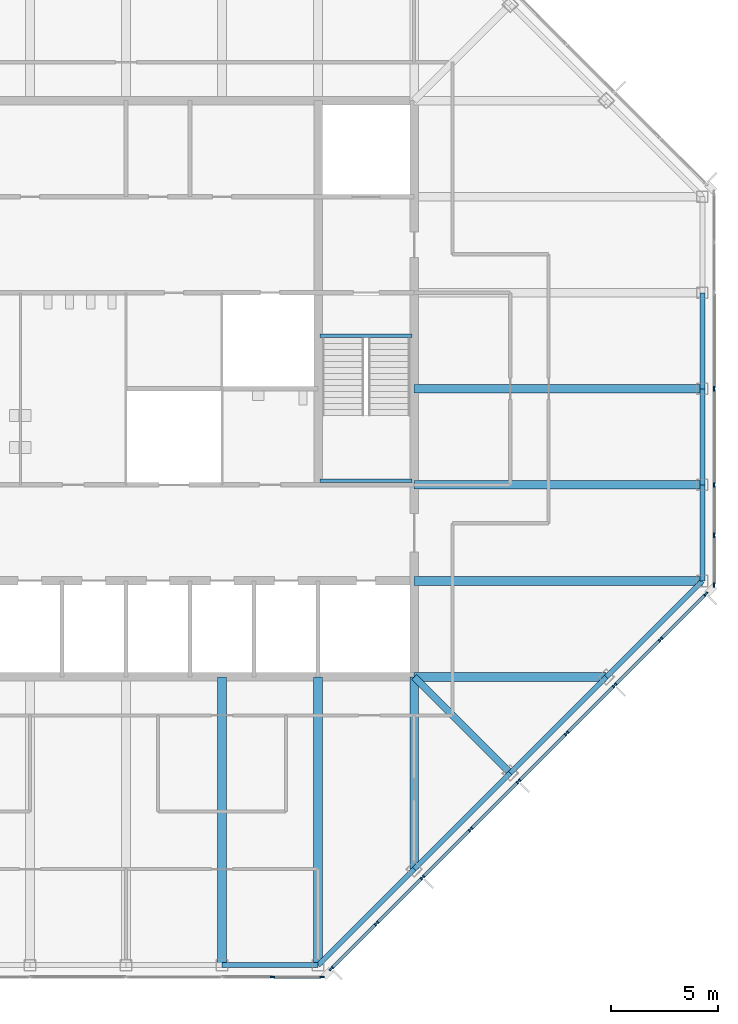
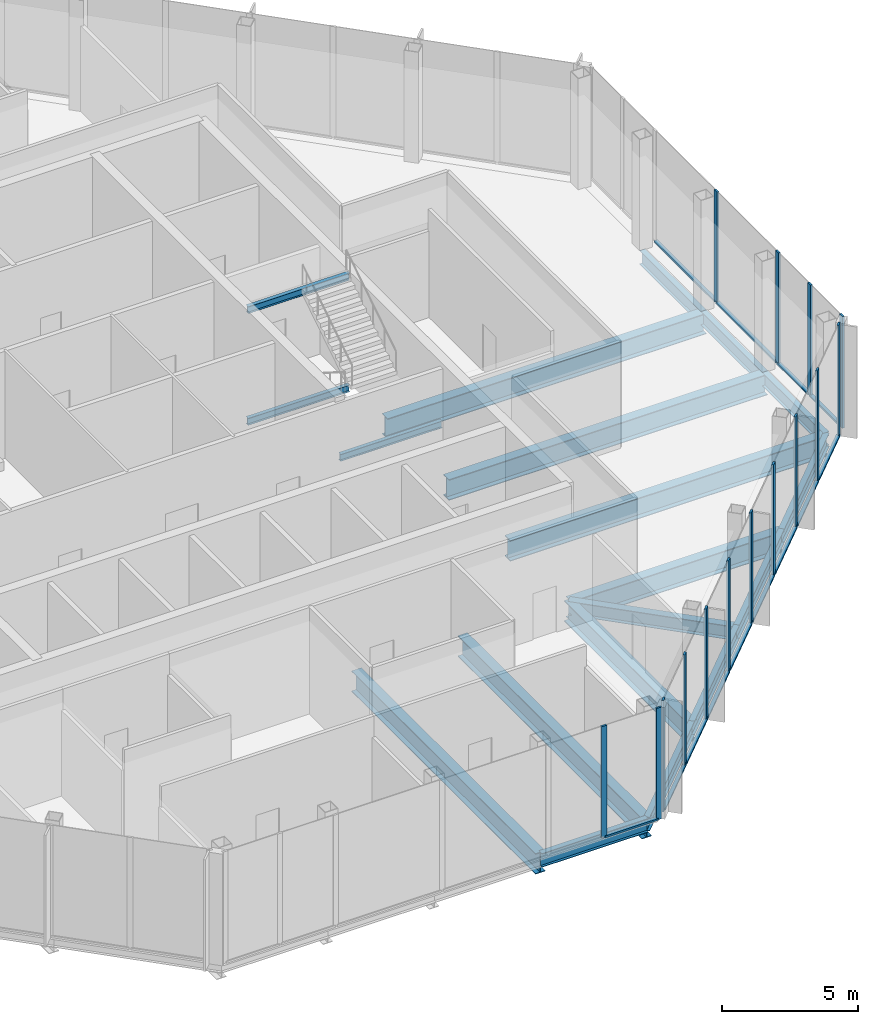
# One storey, part 3 of 11: 28 members, 19 beams, 3 elements without a shape of their own.
"""IFC4 building model written with IfcOpenShell, lengths in metres."""

from ifc_helpers import new_model, si_unit, direction, frame, origin, origin_2d, place, context, subcontext, project, spatial, rectangle, i_section, extrude, material, material_profile, profile_set, type_object, element, aggregate, save


model = new_model("IFC4")

# Units and contexts
model_context = context("Model", 3, precision=1e-05, world=origin(), true_north=direction((0.0, 1.0)))
body_context = subcontext(model_context, "Body", "Model", "MODEL_VIEW")
ifc_project = project(units=[si_unit("LENGTHUNIT", "METRE"), si_unit("AREAUNIT", "SQUARE_METRE"), si_unit("VOLUMEUNIT", "CUBIC_METRE"), si_unit("PLANEANGLEUNIT", "RADIAN"), si_unit("MASSUNIT", "GRAM", prefix="KILO")], contexts=[model_context])

# Site, building, storey
site_placement = place(None, origin())
site = spatial("IfcSite", under=ifc_project, at=site_placement, CompositionType="ELEMENT")
building_placement = place(site_placement, origin())
building = spatial("IfcBuilding", under=site, at=building_placement, Name="Corais Broadcast Tower", CompositionType="ELEMENT")
storey_placement = place(building_placement, frame((0.0, 0.0, 315.10009765625)))
storey = spatial("IfcBuildingStorey", under=building, at=storey_placement, Name="L74", CompositionType="ELEMENT", Elevation=315.10009765625)

# Beams
ifc_material_1 = material(Name="Steel ASTM A572 Grade 50", Category="steel")
ifc_material_profile_1 = material_profile(ifc_material_1, i_section(OverallWidth=0.323974609375, OverallDepth=0.611083984375, WebThickness=0.0126953125, FlangeThickness=0.01904296875, at=origin_2d()), Name="W610x155")
ifc_profile_set_1 = profile_set([ifc_material_profile_1], Name="Steel ASTM A572 Grade 50")
beam_type_1 = type_object("IfcBeamType", Name="Corner diagonal W610x155", PredefinedType="BEAM", material=ifc_profile_set_1)
beam_1_placement = place(storey_placement, frame((45.0, 9.0, -0.485595703125), z_axis=(-0.707106781187, 0.707106781187, 0.0), x_axis=(-0.707106781187, -0.707106781187, 0.0)))
element("IfcBeam", 1, at=beam_1_placement, inside=storey, type_object=beam_type_1, Name="B6 C/13 to D/12", PredefinedType="BEAM", context=body_context, shape_type="SweptSolid", body=[
    extrude(i_section(OverallWidth=0.323974609375, OverallDepth=0.611083984375, WebThickness=0.0126953125, FlangeThickness=0.01904296875, at=origin_2d()), origin(), (0.0, 0.0, 1.0), 6.364013671875),
])
ifc_material_2 = material(Name="Steel ASTM A572 Grade 50", Category="steel")
ifc_material_profile_2 = material_profile(ifc_material_2, i_section(OverallWidth=0.1650390625, OverallDepth=0.31005859375, WebThickness=0.005859375, FlangeThickness=0.009765625, at=origin_2d()), Name="W310x38.7")
ifc_profile_set_2 = profile_set([ifc_material_profile_2], Name="Steel ASTM A572 Grade 50")
beam_type_2 = type_object("IfcBeamType", Name="Landing trimmer W310x38.7", PredefinedType="BEAM", material=ifc_profile_set_2)
for number, where, z_axis, x_axis, name in (
    (2, (36.10009765625, 29.47509765625, -0.35498046875), (1.0, 0.0, 0.0), (0.0, 1.0, 0.0), "LT1 stair B landing trimmer L74"),
    (3, (36.10009765625, 29.47509765625, 4.64501953125), (1.0, 0.0, 0.0), (0.0, 1.0, 0.0), "LT1 stair B landing trimmer L74"),
    (4, (36.10009765625, 22.68994140625, 2.14501953125), (1.0, 0.0, 0.0), (0.0, 1.0, 0.0), "LT1 stair B half landing trimmer L74"),
):
    element("IfcBeam", number, at=place(storey_placement, frame(where, z_axis=z_axis, x_axis=x_axis)), inside=storey, type_object=beam_type_2, Name=name, PredefinedType="BEAM", context=body_context, shape_type="SweptSolid", body=[
        extrude(i_section(OverallWidth=0.1650390625, OverallDepth=0.31005859375, WebThickness=0.005859375, FlangeThickness=0.009765625, at=origin_2d()), origin(), (0.0, 0.0, 1.0), 4.2998046875),
    ])

# Curtain wall, members
ifc_material_3 = material(Name="Aluminium and glass", Category="aluminium")
curtain_wall_type = type_object("IfcCurtainWallType", Name="Event hall curtain wall CW6", PredefinedType="NOTDEFINED", material=ifc_material_3)
curtain_wall_1_placement = place(storey_placement, origin())
curtain_wall_1 = element("IfcCurtainWall", 5, at=curtain_wall_1_placement, inside=storey, type_object=curtain_wall_type, Name="CW6 curtain wall L74 6", PredefinedType="NOTDEFINED")
ifc_material_4 = material(Name="Aluminium 6063-T6", Category="aluminium")
ifc_material_profile_3 = material_profile(ifc_material_4, rectangle(XDim=0.080078125, YDim=0.219970703125, at=origin_2d()), Name="Mullion CW6 80x220")
ifc_profile_set_3 = profile_set([ifc_material_profile_3], Name="Aluminium 6063-T6")
member_type_1 = type_object("IfcMemberType", Name="Mullion CW6 80x220", PredefinedType="MULLION", material=ifc_profile_set_3)
member_1_placement = place(storey_placement, frame((54.550048828125, 27.0, 0.0), z_axis=(0.0, 0.0, 1.0), x_axis=(1.0, 0.0, 0.0)))
member_1 = element("IfcMember", 6, at=member_1_placement, type_object=member_type_1, Name="CW6 mullion 4", PredefinedType="MULLION", context=body_context, shape_type="SweptSolid", body=[
    extrude(rectangle(XDim=0.080078125, YDim=0.219970703125, at=origin_2d()), origin(), (0.0, 0.0, 1.0), 5.0),
])
member_2_placement = place(storey_placement, frame((54.550048828125, 22.5, 0.0), z_axis=(0.0, 0.0, 1.0), x_axis=(1.0, 0.0, 0.0)))
member_2 = element("IfcMember", 7, at=member_2_placement, type_object=member_type_1, Name="CW6 mullion 5", PredefinedType="MULLION", context=body_context, shape_type="SweptSolid", body=[
    extrude(rectangle(XDim=0.080078125, YDim=0.219970703125, at=origin_2d()), origin(), (0.0, 0.0, 1.0), 5.0),
])
member_3_placement = place(storey_placement, frame((54.550048828125, 20.135986328125, 0.0), z_axis=(0.0, 0.0, 1.0), x_axis=(1.0, 0.0, 0.0)))
member_3 = element("IfcMember", 8, at=member_3_placement, type_object=member_type_1, Name="CW6 mullion 6", PredefinedType="MULLION", context=body_context, shape_type="SweptSolid", body=[
    extrude(rectangle(XDim=0.080078125, YDim=0.219970703125, at=origin_2d()), origin(), (0.0, 0.0, 1.0), 5.0),
])
member_4_placement = place(storey_placement, frame((54.550048828125, 17.812255859375, 0.0), z_axis=(0.0, 0.0, 1.0), x_axis=(1.0, 0.0, 0.0)))
member_4 = element("IfcMember", 9, at=member_4_placement, type_object=member_type_1, Name="CW6 mullion 7", PredefinedType="MULLION", context=body_context, shape_type="SweptSolid", body=[
    extrude(rectangle(XDim=0.080078125, YDim=0.219970703125, at=origin_2d()), origin(), (0.0, 0.0, 1.0), 5.0),
])

curtain_wall_2_placement = place(storey_placement, origin())
curtain_wall_2 = element("IfcCurtainWall", 10, at=curtain_wall_2_placement, inside=storey, type_object=curtain_wall_type, Name="CW6 curtain wall L74 7", PredefinedType="NOTDEFINED")
member_5_placement = place(storey_placement, frame((54.168212890625, 17.390380859375, 0.0), z_axis=(0.0, 0.0, 1.0), x_axis=(0.707106781187, -0.707106781187, 0.0)))
member_5 = element("IfcMember", 11, at=member_5_placement, type_object=member_type_1, Name="CW6 mullion 1", PredefinedType="MULLION", context=body_context, shape_type="SweptSolid", body=[
    extrude(rectangle(XDim=0.080078125, YDim=0.219970703125, at=origin_2d()), origin(), (0.0, 0.0, 1.0), 5.0),
])
member_6_placement = place(storey_placement, frame((52.042724609375, 15.264892578125, 0.0), z_axis=(0.0, 0.0, 1.0), x_axis=(0.707106781187, -0.707106781187, 0.0)))
member_6 = element("IfcMember", 12, at=member_6_placement, type_object=member_type_1, Name="CW6 mullion 2", PredefinedType="MULLION", context=body_context, shape_type="SweptSolid", body=[
    extrude(rectangle(XDim=0.080078125, YDim=0.219970703125, at=origin_2d()), origin(), (0.0, 0.0, 1.0), 5.0),
])
member_7_placement = place(storey_placement, frame((49.888916015625, 13.111083984375, 0.0), z_axis=(0.0, 0.0, 1.0), x_axis=(0.707106781187, -0.707106781187, 0.0)))
member_7 = element("IfcMember", 13, at=member_7_placement, type_object=member_type_1, Name="CW6 mullion 3", PredefinedType="MULLION", context=body_context, shape_type="SweptSolid", body=[
    extrude(rectangle(XDim=0.080078125, YDim=0.219970703125, at=origin_2d()), origin(), (0.0, 0.0, 1.0), 5.0),
])
member_8_placement = place(storey_placement, frame((47.638916015625, 10.861083984375, 0.0), z_axis=(0.0, 0.0, 1.0), x_axis=(0.707106781187, -0.707106781187, 0.0)))
member_8 = element("IfcMember", 14, at=member_8_placement, type_object=member_type_1, Name="CW6 mullion 4", PredefinedType="MULLION", context=body_context, shape_type="SweptSolid", body=[
    extrude(rectangle(XDim=0.080078125, YDim=0.219970703125, at=origin_2d()), origin(), (0.0, 0.0, 1.0), 5.0),
])
member_9_placement = place(storey_placement, frame((45.388916015625, 8.611083984375, 0.0), z_axis=(0.0, 0.0, 1.0), x_axis=(0.707106781187, -0.707106781187, 0.0)))
member_9 = element("IfcMember", 15, at=member_9_placement, type_object=member_type_1, Name="CW6 mullion 5", PredefinedType="MULLION", context=body_context, shape_type="SweptSolid", body=[
    extrude(rectangle(XDim=0.080078125, YDim=0.219970703125, at=origin_2d()), origin(), (0.0, 0.0, 1.0), 5.0),
])
member_10_placement = place(storey_placement, frame((43.138916015625, 6.361083984375, 0.0), z_axis=(0.0, 0.0, 1.0), x_axis=(0.707106781187, -0.707106781187, 0.0)))
member_10 = element("IfcMember", 16, at=member_10_placement, type_object=member_type_1, Name="CW6 mullion 6", PredefinedType="MULLION", context=body_context, shape_type="SweptSolid", body=[
    extrude(rectangle(XDim=0.080078125, YDim=0.219970703125, at=origin_2d()), origin(), (0.0, 0.0, 1.0), 5.0),
])
member_11_placement = place(storey_placement, frame((40.888916015625, 4.111083984375, 0.0), z_axis=(0.0, 0.0, 1.0), x_axis=(0.707106781187, -0.707106781187, 0.0)))
member_11 = element("IfcMember", 17, at=member_11_placement, type_object=member_type_1, Name="CW6 mullion 7", PredefinedType="MULLION", context=body_context, shape_type="SweptSolid", body=[
    extrude(rectangle(XDim=0.080078125, YDim=0.219970703125, at=origin_2d()), origin(), (0.0, 0.0, 1.0), 5.0),
])
member_12_placement = place(storey_placement, frame((38.735107421875, 1.957275390625, 0.0), z_axis=(0.0, 0.0, 1.0), x_axis=(0.707106781187, -0.707106781187, 0.0)))
member_12 = element("IfcMember", 18, at=member_12_placement, type_object=member_type_1, Name="CW6 mullion 8", PredefinedType="MULLION", context=body_context, shape_type="SweptSolid", body=[
    extrude(rectangle(XDim=0.080078125, YDim=0.219970703125, at=origin_2d()), origin(), (0.0, 0.0, 1.0), 5.0),
])
member_13_placement = place(storey_placement, frame((36.609619140625, -0.168212890625, 0.0), z_axis=(0.0, 0.0, 1.0), x_axis=(0.707106781187, -0.707106781187, 0.0)))
member_13 = element("IfcMember", 19, at=member_13_placement, type_object=member_type_1, Name="CW6 mullion 9", PredefinedType="MULLION", context=body_context, shape_type="SweptSolid", body=[
    extrude(rectangle(XDim=0.080078125, YDim=0.219970703125, at=origin_2d()), origin(), (0.0, 0.0, 1.0), 5.0),
])

curtain_wall_3_placement = place(storey_placement, origin())
curtain_wall_3 = element("IfcCurtainWall", 20, at=curtain_wall_3_placement, inside=storey, type_object=curtain_wall_type, Name="CW6 curtain wall L74 8", PredefinedType="NOTDEFINED")
member_14_placement = place(storey_placement, frame((36.187744140625, -0.550048828125, 0.0), z_axis=(0.0, 0.0, 1.0), x_axis=(0.0, -1.0, 0.0)))
member_14 = element("IfcMember", 21, at=member_14_placement, type_object=member_type_1, Name="CW6 mullion 1", PredefinedType="MULLION", context=body_context, shape_type="SweptSolid", body=[
    extrude(rectangle(XDim=0.080078125, YDim=0.219970703125, at=origin_2d()), origin(), (0.0, 0.0, 1.0), 5.0),
])
member_15_placement = place(storey_placement, frame((33.864013671875, -0.550048828125, 0.0), z_axis=(0.0, 0.0, 1.0), x_axis=(0.0, -1.0, 0.0)))
member_15 = element("IfcMember", 22, at=member_15_placement, type_object=member_type_1, Name="CW6 mullion 2", PredefinedType="MULLION", context=body_context, shape_type="SweptSolid", body=[
    extrude(rectangle(XDim=0.080078125, YDim=0.219970703125, at=origin_2d()), origin(), (0.0, 0.0, 1.0), 5.0),
])

# Beams
ifc_material_5 = material(Name="Steel ASTM A572 Grade 50", Category="steel")
ifc_material_profile_4 = material_profile(ifc_material_5, i_section(OverallWidth=0.408935546875, OverallDepth=0.927001953125, WebThickness=0.0166015625, FlangeThickness=0.030029296875, at=origin_2d()), Name="W920x289")
ifc_profile_set_4 = profile_set([ifc_material_profile_4], Name="Steel ASTM A572 Grade 50")
beam_type_3 = type_object("IfcBeamType", Name="Refuge floor beam W920x289", PredefinedType="BEAM", material=ifc_profile_set_4)
for number, where, z_axis, x_axis, name in (
    (23, (31.5, 0.0, -0.6435546875), (0.0, 1.0, 0.0), (-1.0, 0.0, 0.0), "B13 A/10 to D/10"),
    (24, (36.0, 0.0, -0.6435546875), (0.0, 1.0, 0.0), (-1.0, 0.0, 0.0), "B13 A/11 to D/11"),
):
    element("IfcBeam", number, at=place(storey_placement, frame(where, z_axis=z_axis, x_axis=x_axis)), inside=storey, type_object=beam_type_3, Name=name, PredefinedType="BEAM", context=body_context, shape_type="SweptSolid", body=[
        extrude(i_section(OverallWidth=0.408935546875, OverallDepth=0.927001953125, WebThickness=0.0166015625, FlangeThickness=0.030029296875, at=origin_2d()), origin(), (0.0, 0.0, 1.0), 13.5),
    ])
for number, where, z_axis, x_axis, name in (
    (25, (40.5, 4.5, -0.6435546875), (0.0, 1.0, 0.0), (-1.0, 0.0, 0.0), "B13 B/12 to D/12"),
    (26, (49.5, 13.5, -0.6435546875), (-1.0, 0.0, 0.0), (0.0, -1.0, 0.0), "B13 D/14 to D/12"),
):
    element("IfcBeam", number, at=place(storey_placement, frame(where, z_axis=z_axis, x_axis=x_axis)), inside=storey, type_object=beam_type_3, Name=name, PredefinedType="BEAM", context=body_context, shape_type="SweptSolid", body=[
        extrude(i_section(OverallWidth=0.408935546875, OverallDepth=0.927001953125, WebThickness=0.0166015625, FlangeThickness=0.030029296875, at=origin_2d()), origin(), (0.0, 0.0, 1.0), 9.0),
    ])
for number, where, z_axis, x_axis, name in (
    (27, (54.0, 18.0, -0.6435546875), (-1.0, 0.0, 0.0), (0.0, -1.0, 0.0), "B13 E/15 to E/12"),
    (28, (54.0, 22.5, -0.6435546875), (-1.0, 0.0, 0.0), (0.0, -1.0, 0.0), "B13 F/15 to F/12"),
    (29, (54.0, 27.0, -0.6435546875), (-1.0, 0.0, 0.0), (0.0, -1.0, 0.0), "B13 G/15 to G/12"),
):
    element("IfcBeam", number, at=place(storey_placement, frame(where, z_axis=z_axis, x_axis=x_axis)), inside=storey, type_object=beam_type_3, Name=name, PredefinedType="BEAM", context=body_context, shape_type="SweptSolid", body=[
        extrude(i_section(OverallWidth=0.408935546875, OverallDepth=0.927001953125, WebThickness=0.0166015625, FlangeThickness=0.030029296875, at=origin_2d()), origin(), (0.0, 0.0, 1.0), 13.5),
    ])
ifc_material_6 = material(Name="Steel ASTM A572 Grade 50", Category="steel")
ifc_material_profile_5 = material_profile(ifc_material_6, i_section(OverallWidth=0.22998046875, OverallDepth=0.616943359375, WebThickness=0.01318359375, FlangeThickness=0.022216796875, at=origin_2d()), Name="W610x140")
ifc_profile_set_5 = profile_set([ifc_material_profile_5], Name="Steel ASTM A572 Grade 50")
beam_type_4 = type_object("IfcBeamType", Name="Spandrel W610x140", PredefinedType="BEAM", material=ifc_profile_set_5)
beam_2_placement = place(storey_placement, frame((31.5, 0.0, -0.488525390625), z_axis=(1.0, 0.0, 0.0), x_axis=(0.0, 1.0, 0.0)))
element("IfcBeam", 30, at=beam_2_placement, inside=storey, type_object=beam_type_4, Name="SB3 A/10 to A/11", PredefinedType="BEAM", context=body_context, shape_type="SweptSolid", body=[
    extrude(i_section(OverallWidth=0.22998046875, OverallDepth=0.616943359375, WebThickness=0.01318359375, FlangeThickness=0.022216796875, at=origin_2d()), origin(), (0.0, 0.0, 1.0), 4.5),
])
for number, where, z_axis, x_axis, name in (
    (31, (36.0, 0.0, -0.488525390625), (0.707106781187, 0.707106781187, 0.0), (-0.707106781187, 0.707106781187, 0.0), "SB3 A/11 to B/12"),
    (32, (40.5, 4.5, -0.488525390625), (0.707106781187, 0.707106781187, 0.0), (-0.707106781187, 0.707106781187, 0.0), "SB3 B/12 to C/13"),
    (33, (45.0, 9.0, -0.488525390625), (0.707106781187, 0.707106781187, 0.0), (-0.707106781187, 0.707106781187, 0.0), "SB3 C/13 to D/14"),
    (34, (49.5, 13.5, -0.488525390625), (0.707106781187, 0.707106781187, 0.0), (-0.707106781187, 0.707106781187, 0.0), "SB3 D/14 to E/15"),
):
    element("IfcBeam", number, at=place(storey_placement, frame(where, z_axis=z_axis, x_axis=x_axis)), inside=storey, type_object=beam_type_4, Name=name, PredefinedType="BEAM", context=body_context, shape_type="SweptSolid", body=[
        extrude(i_section(OverallWidth=0.22998046875, OverallDepth=0.616943359375, WebThickness=0.01318359375, FlangeThickness=0.022216796875, at=origin_2d()), origin(), (0.0, 0.0, 1.0), 6.364013671875),
    ])
for number, where, z_axis, x_axis, name in (
    (35, (54.0, 18.0, -0.488525390625), (0.0, 1.0, 0.0), (-1.0, 0.0, 0.0), "SB3 E/15 to F/15"),
    (36, (54.0, 22.5, -0.488525390625), (0.0, 1.0, 0.0), (-1.0, 0.0, 0.0), "SB3 F/15 to G/15"),
    (37, (54.0, 27.0, -0.488525390625), (0.0, 1.0, 0.0), (-1.0, 0.0, 0.0), "SB3 G/15 to H/15"),
):
    element("IfcBeam", number, at=place(storey_placement, frame(where, z_axis=z_axis, x_axis=x_axis)), inside=storey, type_object=beam_type_4, Name=name, PredefinedType="BEAM", context=body_context, shape_type="SweptSolid", body=[
        extrude(i_section(OverallWidth=0.22998046875, OverallDepth=0.616943359375, WebThickness=0.01318359375, FlangeThickness=0.022216796875, at=origin_2d()), origin(), (0.0, 0.0, 1.0), 4.5),
    ])

# Member
ifc_material_7 = material(Name="Aluminium 6063-T6", Category="aluminium")
ifc_material_profile_6 = material_profile(ifc_material_7, rectangle(XDim=0.14990234375, YDim=0.080078125, at=origin_2d()), Name="Transom CW6 80x150")
ifc_profile_set_6 = profile_set([ifc_material_profile_6], Name="Aluminium 6063-T6")
member_type_2 = type_object("IfcMemberType", Name="Transom CW6 80x150", PredefinedType="USERDEFINED", material=ifc_profile_set_6)
member_16_placement = place(storey_placement, frame((54.550048828125, 31.4599609375, 0.039794921875), z_axis=(0.0, -1.0, 0.0), x_axis=(1.0, 0.0, 0.0)))
member_16 = element("IfcMember", 38, at=member_16_placement, type_object=member_type_2, Name="CW6 transom 3.1", ObjectType="TRANSOM", PredefinedType="USERDEFINED", context=body_context, shape_type="SweptSolid", body=[
    extrude(rectangle(XDim=0.14990234375, YDim=0.080078125, at=origin_2d()), origin(), (0.0, 0.0, 1.0), 4.419921875),
])

member_17_placement = place(storey_placement, frame((54.550048828125, 26.9599609375, 0.039794921875), z_axis=(0.0, -1.0, 0.0), x_axis=(1.0, 0.0, 0.0)))
member_17 = element("IfcMember", 39, at=member_17_placement, type_object=member_type_2, Name="CW6 transom 4.1", ObjectType="TRANSOM", PredefinedType="USERDEFINED", context=body_context, shape_type="SweptSolid", body=[
    extrude(rectangle(XDim=0.14990234375, YDim=0.080078125, at=origin_2d()), origin(), (0.0, 0.0, 1.0), 4.419921875),
])

member_18_placement = place(storey_placement, frame((54.550048828125, 22.4599609375, 0.039794921875), z_axis=(0.0, -1.0, 0.0), x_axis=(1.0, 0.0, 0.0)))
member_18 = element("IfcMember", 40, at=member_18_placement, type_object=member_type_2, Name="CW6 transom 5.1", ObjectType="TRANSOM", PredefinedType="USERDEFINED", context=body_context, shape_type="SweptSolid", body=[
    extrude(rectangle(XDim=0.14990234375, YDim=0.080078125, at=origin_2d()), origin(), (0.0, 0.0, 1.0), 2.283935546875),
])

member_19_placement = place(storey_placement, frame((54.550048828125, 20.09619140625, 0.039794921875), z_axis=(0.0, -1.0, 0.0), x_axis=(1.0, 0.0, 0.0)))
member_19 = element("IfcMember", 41, at=member_19_placement, type_object=member_type_2, Name="CW6 transom 6.1", ObjectType="TRANSOM", PredefinedType="USERDEFINED", context=body_context, shape_type="SweptSolid", body=[
    extrude(rectangle(XDim=0.14990234375, YDim=0.080078125, at=origin_2d()), origin(), (0.0, 0.0, 1.0), 2.243896484375),
])

aggregate(curtain_wall_1, [member_1, member_2, member_3, member_4, member_16, member_17, member_18, member_19])

member_20_placement = place(storey_placement, frame((54.139892578125, 17.362060546875, 0.039794921875), z_axis=(-0.707106781187, -0.707106781187, 0.0), x_axis=(0.707106781187, -0.707106781187, 0.0)))
member_20 = element("IfcMember", 42, at=member_20_placement, type_object=member_type_2, Name="CW6 transom 1.1", ObjectType="TRANSOM", PredefinedType="USERDEFINED", context=body_context, shape_type="SweptSolid", body=[
    extrude(rectangle(XDim=0.14990234375, YDim=0.080078125, at=origin_2d()), origin(), (0.0, 0.0, 1.0), 2.92578125),
])

member_21_placement = place(storey_placement, frame((52.014404296875, 15.236572265625, 0.039794921875), z_axis=(-0.707106781187, -0.707106781187, 0.0), x_axis=(0.707106781187, -0.707106781187, 0.0)))
member_21 = element("IfcMember", 43, at=member_21_placement, type_object=member_type_2, Name="CW6 transom 2.1", ObjectType="TRANSOM", PredefinedType="USERDEFINED", context=body_context, shape_type="SweptSolid", body=[
    extrude(rectangle(XDim=0.14990234375, YDim=0.080078125, at=origin_2d()), origin(), (0.0, 0.0, 1.0), 2.9658203125),
])

member_22_placement = place(storey_placement, frame((49.860595703125, 13.082763671875, 0.039794921875), z_axis=(-0.707106781187, -0.707106781187, 0.0), x_axis=(0.707106781187, -0.707106781187, 0.0)))
member_22 = element("IfcMember", 44, at=member_22_placement, type_object=member_type_2, Name="CW6 transom 3.1", ObjectType="TRANSOM", PredefinedType="USERDEFINED", context=body_context, shape_type="SweptSolid", body=[
    extrude(rectangle(XDim=0.14990234375, YDim=0.080078125, at=origin_2d()), origin(), (0.0, 0.0, 1.0), 3.101806640625),
])

member_23_placement = place(storey_placement, frame((47.610595703125, 10.832763671875, 0.039794921875), z_axis=(-0.707106781187, -0.707106781187, 0.0), x_axis=(0.707106781187, -0.707106781187, 0.0)))
member_23 = element("IfcMember", 45, at=member_23_placement, type_object=member_type_2, Name="CW6 transom 4.1", ObjectType="TRANSOM", PredefinedType="USERDEFINED", context=body_context, shape_type="SweptSolid", body=[
    extrude(rectangle(XDim=0.14990234375, YDim=0.080078125, at=origin_2d()), origin(), (0.0, 0.0, 1.0), 3.101806640625),
])

member_24_placement = place(storey_placement, frame((45.360595703125, 8.582763671875, 0.039794921875), z_axis=(-0.707106781187, -0.707106781187, 0.0), x_axis=(0.707106781187, -0.707106781187, 0.0)))
member_24 = element("IfcMember", 46, at=member_24_placement, type_object=member_type_2, Name="CW6 transom 5.1", ObjectType="TRANSOM", PredefinedType="USERDEFINED", context=body_context, shape_type="SweptSolid", body=[
    extrude(rectangle(XDim=0.14990234375, YDim=0.080078125, at=origin_2d()), origin(), (0.0, 0.0, 1.0), 3.101806640625),
])

member_25_placement = place(storey_placement, frame((43.110595703125, 6.332763671875, 0.039794921875), z_axis=(-0.707106781187, -0.707106781187, 0.0), x_axis=(0.707106781187, -0.707106781187, 0.0)))
member_25 = element("IfcMember", 47, at=member_25_placement, type_object=member_type_2, Name="CW6 transom 6.1", ObjectType="TRANSOM", PredefinedType="USERDEFINED", context=body_context, shape_type="SweptSolid", body=[
    extrude(rectangle(XDim=0.14990234375, YDim=0.080078125, at=origin_2d()), origin(), (0.0, 0.0, 1.0), 3.101806640625),
])

member_26_placement = place(storey_placement, frame((40.860595703125, 4.082763671875, 0.039794921875), z_axis=(-0.707106781187, -0.707106781187, 0.0), x_axis=(0.707106781187, -0.707106781187, 0.0)))
member_26 = element("IfcMember", 48, at=member_26_placement, type_object=member_type_2, Name="CW6 transom 7.1", ObjectType="TRANSOM", PredefinedType="USERDEFINED", context=body_context, shape_type="SweptSolid", body=[
    extrude(rectangle(XDim=0.14990234375, YDim=0.080078125, at=origin_2d()), origin(), (0.0, 0.0, 1.0), 2.9658203125),
])

member_27_placement = place(storey_placement, frame((38.706787109375, 1.92919921875, 0.039794921875), z_axis=(-0.70706506028, -0.707148499631, 0.0), x_axis=(0.707148499631, -0.70706506028, 0.0)))
member_27 = element("IfcMember", 49, at=member_27_placement, type_object=member_type_2, Name="CW6 transom 8.1", ObjectType="TRANSOM", PredefinedType="USERDEFINED", context=body_context, shape_type="SweptSolid", body=[
    extrude(rectangle(XDim=0.14990234375, YDim=0.080078125, at=origin_2d()), origin(), (0.0, 0.0, 1.0), 2.926025390625),
])

aggregate(curtain_wall_2, [member_5, member_6, member_7, member_8, member_9, member_10, member_11, member_12, member_13, member_20, member_21, member_22, member_23, member_24, member_25, member_26, member_27])

member_28_placement = place(storey_placement, frame((36.147705078125, -0.550048828125, 0.039794921875), z_axis=(-1.0, 0.0, 0.0), x_axis=(0.0, -1.0, 0.0)))
member_28 = element("IfcMember", 50, at=member_28_placement, type_object=member_type_2, Name="CW6 transom 1.1", ObjectType="TRANSOM", PredefinedType="USERDEFINED", context=body_context, shape_type="SweptSolid", body=[
    extrude(rectangle(XDim=0.14990234375, YDim=0.080078125, at=origin_2d()), origin(), (0.0, 0.0, 1.0), 2.243896484375),
])

aggregate(curtain_wall_3, [member_14, member_15, member_28])

save(model, "model.ifc")
